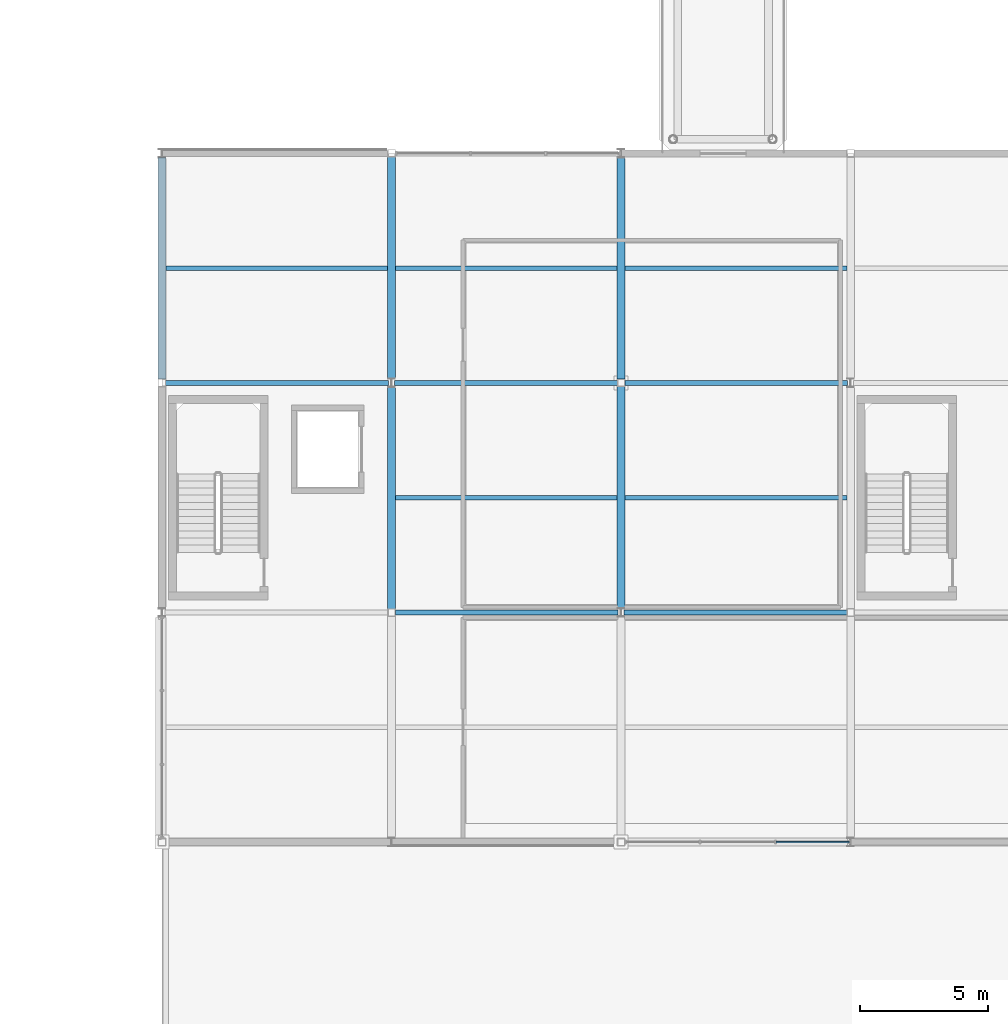
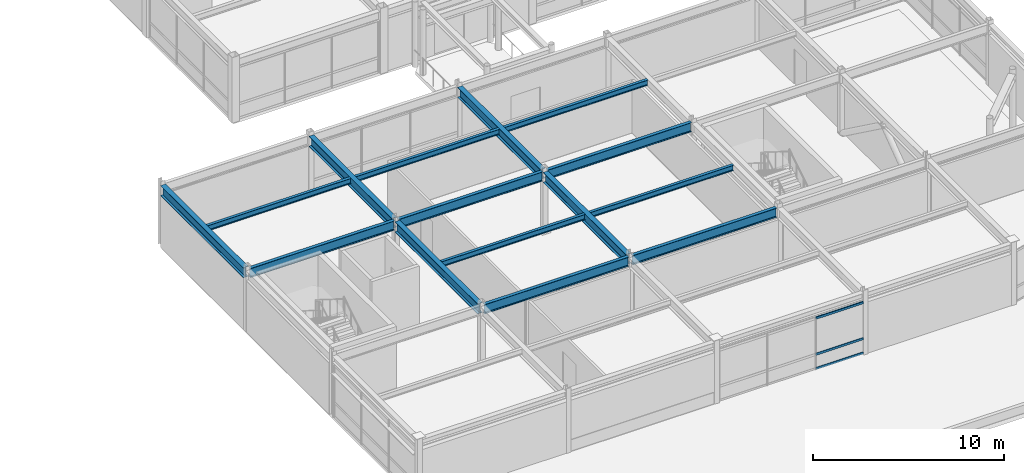
# One storey, part 53 of 108: 15 beams, 3 members, 1 element without a shape of its own.
"""IFC4 building model written with IfcOpenShell, lengths in metres."""

import ifcopenshell
import ifcopenshell.guid

model = None  # the IFC model being written
_history = None  # IfcOwnerHistory: only IFC2X3 demands one
_inside = {}  # id of a spatial element -> (the spatial element, [elements in it])
_under = {}  # id of a project, library or spatial element -> (it, [spatial elements below it])
_declared = {}  # id of a project -> (the project, [libraries it declares])
_typed = {}  # id of a type object -> (the type object, [elements of that type])
_made_of = {}  # id of a material, layer set ... -> (it, [elements and type objects made of it])


def new_model(schema):
    """Start an empty IFC model of exactly this schema.

    Asked for "IFC4X3", IfcOpenShell would pick the latest addendum, in which some entities
    have other attributes; the version numbers below select the first issue.
    IFC2X3 requires an IfcOwnerHistory on every rooted entity: one is made here for all.
    """
    global model, _history
    if schema == "IFC4X3":
        model = ifcopenshell.file(schema_version=(4, 3, 0, 0))
    else:
        model = ifcopenshell.file(schema=schema)
    _inside.clear()
    _under.clear()
    _declared.clear()
    _typed.clear()
    _made_of.clear()
    _history = None
    if model.schema == "IFC2X3":
        org = make("IfcOrganization", Name="unknown")
        user = make(
            "IfcPersonAndOrganization",
            ThePerson=make("IfcPerson", FamilyName="unknown"),
            TheOrganization=org,
        )
        app = make(
            "IfcApplication",
            ApplicationDeveloper=org,
            Version="unknown",
            ApplicationFullName="unknown",
            ApplicationIdentifier="unknown",
        )
        _history = make(
            "IfcOwnerHistory",
            OwningUser=user,
            OwningApplication=app,
            ChangeAction="ADDED",
            CreationDate=0,
        )
    return model


def make(cls, **values):
    """One entity of the class cls with the attributes given. An attribute that is None is left unset."""
    return model.create_entity(
        cls, **{name: value for name, value in values.items() if value is not None}
    )


def rooted(cls, **values):
    """An entity with a GlobalId (a new one), such as an element, a storey or a relation."""
    return make(cls, GlobalId=ifcopenshell.guid.new(), OwnerHistory=_history, **values)


def si_unit(unit_type, name, prefix=None):
    """IfcSIUnit, for example si_unit("LENGTHUNIT", "METRE", prefix="MILLI")."""
    return make("IfcSIUnit", UnitType=unit_type, Prefix=prefix, Name=name)


def assignment(units):
    """IfcUnitAssignment: the units of a project."""
    return None if units is None else make("IfcUnitAssignment", Units=units)


def point(xyz):
    """IfcCartesianPoint."""
    return None if xyz is None else make("IfcCartesianPoint", Coordinates=xyz)


def direction(xyz):
    """IfcDirection."""
    return None if xyz is None else make("IfcDirection", DirectionRatios=xyz)


def frame(location, z_axis=None, x_axis=None):
    """IfcAxis2Placement3D, a coordinate frame: its origin and axes. An axis left out is left unset."""
    return make(
        "IfcAxis2Placement3D",
        Location=point(location),
        Axis=direction(z_axis),
        RefDirection=direction(x_axis),
    )


def frame_2d(location, x_axis=None):
    """IfcAxis2Placement2D, a coordinate frame in the plane: its origin and x axis."""
    return make(
        "IfcAxis2Placement2D", Location=point(location), RefDirection=direction(x_axis)
    )


def origin():
    """The frame at (0, 0, 0) with its axes left unset."""
    return frame((0.0, 0.0, 0.0))


def origin_2d():
    """The frame at (0, 0) in the plane with its x axis left unset."""
    return frame_2d((0.0, 0.0))


def place(relative_to, where):
    """IfcLocalPlacement: puts the frame where relative to a parent placement (None: the world)."""
    return make(
        "IfcLocalPlacement", PlacementRelTo=relative_to, RelativePlacement=where
    )


def context(
    kind, dimensions, precision=None, world=None, true_north=None, identifier=None
):
    """IfcGeometricRepresentationContext, for example the 3D "Model" context."""
    return make(
        "IfcGeometricRepresentationContext",
        ContextIdentifier=identifier,
        ContextType=kind,
        CoordinateSpaceDimension=dimensions,
        Precision=precision,
        WorldCoordinateSystem=world,
        TrueNorth=true_north,
    )


def subcontext(parent, identifier, kind, view, scale=None):
    """IfcGeometricRepresentationSubContext, for example "Body" below "Model"."""
    return make(
        "IfcGeometricRepresentationSubContext",
        ContextIdentifier=identifier,
        ContextType=kind,
        ParentContext=parent,
        TargetScale=scale,
        TargetView=view,
    )


def project(units=None, contexts=None):
    """IfcProject with its units and contexts."""
    return rooted(
        "IfcProject",
        Name="project",
        RepresentationContexts=contexts,
        UnitsInContext=assignment(units),
    )


def spatial(cls, under=None, at=None, **own):
    """A site, building, storey or space (cls), placed at a placement, below another one or the project."""
    s = rooted(cls, ObjectPlacement=at, **own)
    if under is not None:
        _under.setdefault(under.id(), (under, []))[1].append(s)
    return s


def profile(cls, at=None, kind="AREA", **sizes):
    """A parametric profile (cls). Its sizes go by their IFC names, for example OverallWidth=200.0."""
    return make(cls, ProfileType=kind, Position=at, **sizes)


def rectangle(**sizes):
    """IfcRectangleProfileDef."""
    return profile("IfcRectangleProfileDef", **sizes)


def i_section(**sizes):
    """IfcIShapeProfileDef."""
    return profile("IfcIShapeProfileDef", **sizes)


def extrude(swept, where, along, depth):
    """IfcExtrudedAreaSolid: the profile swept, set in the frame where, extruded along a direction by depth."""
    return make(
        "IfcExtrudedAreaSolid",
        SweptArea=swept,
        Position=where,
        ExtrudedDirection=direction(along),
        Depth=depth,
    )


def shape(context_of_items, identifier, shape_type, items):
    """IfcShapeRepresentation: the items that make up one representation, for example the "Body"."""
    return make(
        "IfcShapeRepresentation",
        ContextOfItems=context_of_items,
        RepresentationIdentifier=identifier,
        RepresentationType=shape_type,
        Items=items,
    )


def material(Name=None, Category=None):
    """IfcMaterial."""
    return make("IfcMaterial", Name=Name, Category=Category)


def material_profile(
    of_material, cross_section, Name=None, Category=None, Priority=None
):
    """IfcMaterialProfile: a cross section and its material."""
    return make(
        "IfcMaterialProfile",
        Name=Name,
        Material=of_material,
        Profile=cross_section,
        Priority=Priority,
        Category=Category,
    )


def profile_set(profiles, Name=None, composite=None):
    """IfcMaterialProfileSet."""
    return make(
        "IfcMaterialProfileSet",
        Name=Name,
        MaterialProfiles=profiles,
        CompositeProfile=composite,
    )


def made_of(thing, what):
    """Note that an element or type object is made of a material, layer set ...; save() writes the relation."""
    if what is not None:
        _made_of.setdefault(what.id(), (what, []))[1].append(thing)
    return thing


def type_object(cls, material=None, **own):
    """A type object (cls), such as IfcWallType, which elements share."""
    return made_of(rooted(cls, **own), material)


def element(
    cls,
    number,
    at=None,
    inside=None,
    cuts=None,
    type_object=None,
    material=None,
    context=None,
    identifier="Body",
    shape_type=None,
    held_by="IfcProductDefinitionShape",
    body=None,
    shapes=None,
    **own,
):
    """One element of the class cls, such as IfcWall. Its Tag is "e" and its number.

    at: its placement. inside: the storey or other place that contains it. cuts: it is an
    opening in that element (IfcRelVoidsElement). A single representation is given by context,
    identifier, shape_type and body (its items); several are given by shapes. held_by: the class
    of the entity that holds the representations. save() writes the other relations.
    """
    e = rooted(cls, Tag="e%d" % number, ObjectPlacement=at, **own)
    if body is not None:
        shapes = [shape(context, identifier, shape_type, body)]
    if shapes is not None:
        e.Representation = make(held_by, Representations=shapes)
    if inside is not None:
        _inside.setdefault(inside.id(), (inside, []))[1].append(e)
    if cuts is not None:
        rooted(
            "IfcRelVoidsElement", RelatingBuildingElement=cuts, RelatedOpeningElement=e
        )
    if type_object is not None:
        _typed.setdefault(type_object.id(), (type_object, []))[1].append(e)
    return made_of(e, material)


def aggregate(whole, parts):
    """IfcRelAggregates: a whole, such as a stair, and the parts it consists of."""
    return rooted("IfcRelAggregates", RelatingObject=whole, RelatedObjects=parts)


def save(model, path):
    """Write the relations noted so far, then the file.

    IfcRelAggregates (storeys below a building ...), IfcRelContainedInSpatialStructure (elements
    in a storey), IfcRelDefinesByType, IfcRelAssociatesMaterial and IfcRelDeclares: one each for
    every whole, place, type object, material and project.
    """
    for whole, parts in _under.values():
        aggregate(whole, parts)
    for where, things in _inside.values():
        rooted(
            "IfcRelContainedInSpatialStructure",
            RelatedElements=things,
            RelatingStructure=where,
        )
    for kind, things in _typed.values():
        rooted("IfcRelDefinesByType", RelatedObjects=things, RelatingType=kind)
    for what, things in _made_of.values():
        rooted("IfcRelAssociatesMaterial", RelatedObjects=things, RelatingMaterial=what)
    for by, libraries in _declared.values():
        rooted("IfcRelDeclares", RelatingContext=by, RelatedDefinitions=libraries)
    model.write(path)


model = new_model("IFC4")

# Units and contexts
model_context = context("Model", 3, precision=1e-05, world=origin(), true_north=direction((0.0, 1.0)))
body_context = subcontext(model_context, "Body", "Model", "MODEL_VIEW")
ifc_project = project(units=[si_unit("LENGTHUNIT", "METRE"), si_unit("AREAUNIT", "SQUARE_METRE"), si_unit("VOLUMEUNIT", "CUBIC_METRE"), si_unit("PLANEANGLEUNIT", "RADIAN"), si_unit("MASSUNIT", "GRAM", prefix="KILO")], contexts=[model_context])

# Site, building, storey
site_placement = place(None, origin())
site = spatial("IfcSite", under=ifc_project, at=site_placement, CompositionType="ELEMENT")
building_placement = place(site_placement, origin())
building = spatial("IfcBuilding", under=site, at=building_placement, Name="Suzunagisa Mobility Hub", CompositionType="ELEMENT")
storey_placement = place(building_placement, frame((0.0, 0.0, 9.300048828125)))
storey = spatial("IfcBuildingStorey", under=building, at=storey_placement, Name="L02", CompositionType="ELEMENT", Elevation=9.300048828125)

# Curtain wall, members
ifc_material_1 = material(Name="Thermally Broken Anodized Aluminum and Low-E Glazing", Category="aluminium")
curtain_wall_type = type_object("IfcCurtainWallType", Name="Unitised Curtain Wall CW-12 8750x3300", PredefinedType="USERDEFINED", material=ifc_material_1)
curtain_wall_placement = place(storey_placement, origin())
curtain_wall = element("IfcCurtainWall", 1, at=curtain_wall_placement, inside=storey, type_object=curtain_wall_type, Name="L02 Unitised Curtain Wall CW-155", ObjectType="UNITISED CURTAIN WALL", PredefinedType="USERDEFINED")
ifc_material_2 = material(Name="Anodized Aluminum 6063-T6", Category="aluminium")
ifc_material_profile_1 = material_profile(ifc_material_2, rectangle(XDim=0.06494140625, YDim=0.139892578125, at=origin_2d()), Name="TRAN-65x140")
ifc_profile_set_1 = profile_set([ifc_material_profile_1], Name="Anodized Aluminum 6063-T6")
member_type = type_object("IfcMemberType", Name="Curtain Wall Framing CM-01 TRAN-65x140", PredefinedType="USERDEFINED", material=ifc_profile_set_1)
member_1_placement = place(storey_placement, frame((159.074951171875, 9.0, 0.032470703125), z_axis=(1.0, 0.0, 0.0), x_axis=(0.0, 1.0, 0.0)))
member_1 = element("IfcMember", 2, at=member_1_placement, type_object=member_type, Name="Curtain Wall Transom 155-T3.1", ObjectType="TRANSOM", PredefinedType="USERDEFINED", context=body_context, shape_type="SweptSolid", body=[
    extrude(rectangle(XDim=0.06494140625, YDim=0.139892578125, at=origin_2d()), origin(), (0.0, 0.0, 1.0), 2.862548828125),
])
member_2_placement = place(storey_placement, frame((159.074951171875, 9.0, 0.949951171875), z_axis=(1.0, 0.0, 0.0), x_axis=(0.0, 1.0, 0.0)))
member_2 = element("IfcMember", 3, at=member_2_placement, type_object=member_type, Name="Curtain Wall Transom 155-T3.2", ObjectType="TRANSOM", PredefinedType="USERDEFINED", context=body_context, shape_type="SweptSolid", body=[
    extrude(rectangle(XDim=0.06494140625, YDim=0.139892578125, at=origin_2d()), origin(), (0.0, 0.0, 1.0), 2.862548828125),
])
member_3_placement = place(storey_placement, frame((159.074951171875, 9.0, 3.257568359375), z_axis=(1.0, 0.0, 0.0), x_axis=(0.0, 1.0, 0.0)))
member_3 = element("IfcMember", 4, at=member_3_placement, type_object=member_type, Name="Curtain Wall Transom 155-T3.3", ObjectType="TRANSOM", PredefinedType="USERDEFINED", context=body_context, shape_type="SweptSolid", body=[
    extrude(rectangle(XDim=0.06494140625, YDim=0.139892578125, at=origin_2d()), origin(), (0.0, 0.0, 1.0), 2.862548828125),
])
aggregate(curtain_wall, [member_1, member_2, member_3])

# Beams
ifc_material_3 = material(Name="Steel SN400B", Category="steel")
ifc_material_profile_2 = material_profile(ifc_material_3, i_section(OverallWidth=0.175048828125, OverallDepth=0.35009765625, WebThickness=0.007080078125, FlangeThickness=0.010986328125, FilletRadius=0.008056640625, at=origin_2d()), Name="H-350x175x7x11")
ifc_profile_set_2 = profile_set([ifc_material_profile_2], Name="Steel SN400B")
beam_type_1 = type_object("IfcBeamType", Name="Steel Beam BM-03 H-350x175x7x11", PredefinedType="JOIST", material=ifc_profile_set_2)
for number, where, z_axis, x_axis, name in (
    (5, (135.14990234375, 31.5, 3.77490234375), (1.0, 0.0, 0.0), (0.0, 1.0, 0.0), "L02 Composite Floor Joist J-1561"),
    (6, (144.14990234375, 22.5, 3.77490234375), (1.0, 0.0, 0.0), (0.0, 1.0, 0.0), "L02 Composite Floor Joist J-1562"),
    (7, (144.14990234375, 31.5, 3.77490234375), (1.0, 0.0, 0.0), (0.0, 1.0, 0.0), "L02 Composite Floor Joist J-1563"),
    (8, (153.14990234375, 22.5, 3.77490234375), (1.0, 0.0, 0.0), (0.0, 1.0, 0.0), "L02 Composite Floor Joist J-1564"),
    (9, (153.14990234375, 31.5, 3.77490234375), (1.0, 0.0, 0.0), (0.0, 1.0, 0.0), "L02 Composite Floor Joist J-1565"),
):
    element("IfcBeam", number, at=place(storey_placement, frame(where, z_axis=z_axis, x_axis=x_axis)), inside=storey, type_object=beam_type_1, Name=name, PredefinedType="JOIST", context=body_context, shape_type="SweptSolid", body=[
        extrude(i_section(OverallWidth=0.175048828125, OverallDepth=0.35009765625, WebThickness=0.007080078125, FlangeThickness=0.010986328125, FilletRadius=0.008056640625, at=origin_2d()), origin(), (0.0, 0.0, 1.0), 8.7001953125),
    ])
ifc_material_4 = material(Name="Steel SN490B", Category="steel")
ifc_material_profile_3 = material_profile(ifc_material_4, i_section(OverallWidth=0.199951171875, OverallDepth=0.60009765625, WebThickness=0.010986328125, FlangeThickness=0.01708984375, FilletRadius=0.012939453125, at=origin_2d()), Name="H-600x200x11x17")
ifc_profile_set_3 = profile_set([ifc_material_profile_3], Name="Steel SN490B")
beam_type_2 = type_object("IfcBeamType", Name="Steel Beam BM-07 H-600x200x11x17", PredefinedType="BEAM", material=ifc_profile_set_3)
for number, where, z_axis, x_axis, name in (
    (10, (144.14599609375, 18.0, 3.639892578125), (1.0, 0.0, 0.0), (0.0, 1.0, 0.0), "L02 Primary Girder GX-1536"),
    (11, (153.12109375, 18.0, 3.639892578125), (1.0, 0.0, 0.0), (0.0, 1.0, 0.0), "L02 Primary Girder GX-1537"),
    (12, (135.14599609375, 27.0, 3.64990234375), (1.0, 0.0, 0.0), (0.0, 1.0, 0.0), "L02 Primary Girder GX-1539"),
    (13, (144.12109375, 27.0, 3.64990234375), (1.0, 0.0, 0.0), (0.0, 1.0, 0.0), "L02 Primary Girder GX-1540"),
    (14, (153.14599609375, 27.0, 3.64990234375), (1.0, 0.0, 0.0), (0.0, 1.0, 0.0), "L02 Primary Girder GX-1541"),
):
    element("IfcBeam", number, at=place(storey_placement, frame(where, z_axis=z_axis, x_axis=x_axis)), inside=storey, type_object=beam_type_2, Name=name, PredefinedType="BEAM", context=body_context, shape_type="SweptSolid", body=[
        extrude(i_section(OverallWidth=0.199951171875, OverallDepth=0.60009765625, WebThickness=0.010986328125, FlangeThickness=0.01708984375, FilletRadius=0.012939453125, at=origin_2d()), origin(), (0.0, 0.0, 1.0), 8.73291015625),
    ])
ifc_material_profile_4 = material_profile(ifc_material_4, i_section(OverallWidth=0.300048828125, OverallDepth=0.64990234375, WebThickness=0.012939453125, FlangeThickness=0.02197265625, FilletRadius=0.01611328125, at=origin_2d()), Name="H-650x300x13x22")
ifc_profile_set_4 = profile_set([ifc_material_profile_4], Name="Steel SN490B")
beam_type_3 = type_object("IfcBeamType", Name="Steel Beam BM-10 H-650x300x13x22", PredefinedType="BEAM", material=ifc_profile_set_4)
for number, where, z_axis, x_axis, name in (
    (15, (135.0, 27.14599609375, 3.625), (0.0, 1.0, 0.0), (-1.0, 0.0, 0.0), "L02 Primary Girder GY-1550"),
    (16, (144.0, 18.14599609375, 3.614990234375), (0.0, 1.0, 0.0), (-1.0, 0.0, 0.0), "L02 Primary Girder GY-1551"),
    (17, (144.0, 27.166015625, 3.625), (0.0, 1.0, 0.0), (-1.0, 0.0, 0.0), "L02 Primary Girder GY-1552"),
    (18, (153.0, 18.166015625, 3.614990234375), (0.0, 1.0, 0.0), (-1.0, 0.0, 0.0), "L02 Primary Girder GY-1553"),
    (19, (153.0, 27.14599609375, 3.625), (0.0, 1.0, 0.0), (-1.0, 0.0, 0.0), "L02 Primary Girder GY-1554"),
):
    element("IfcBeam", number, at=place(storey_placement, frame(where, z_axis=z_axis, x_axis=x_axis)), inside=storey, type_object=beam_type_3, Name=name, PredefinedType="BEAM", context=body_context, shape_type="SweptSolid", body=[
        extrude(i_section(OverallWidth=0.300048828125, OverallDepth=0.64990234375, WebThickness=0.012939453125, FlangeThickness=0.02197265625, FilletRadius=0.01611328125, at=origin_2d()), origin(), (0.0, 0.0, 1.0), 8.68798828125),
    ])

save(model, "model.ifc")
